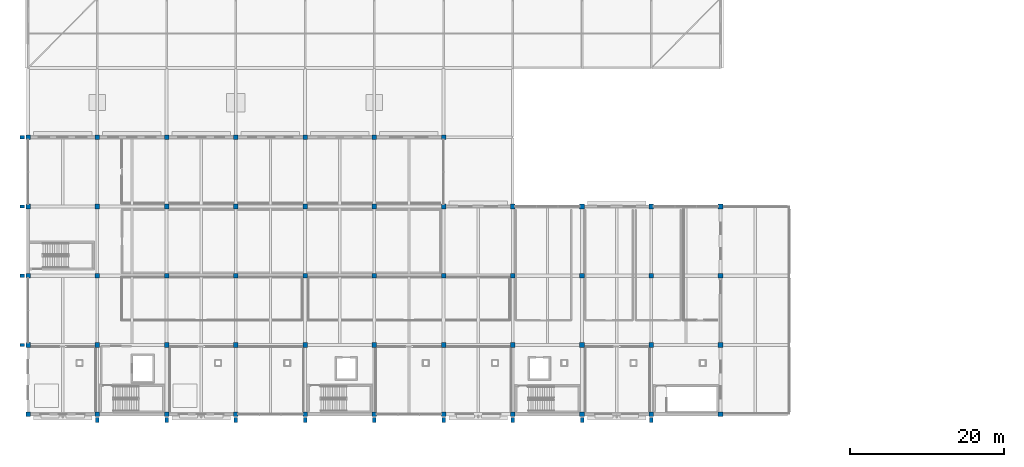
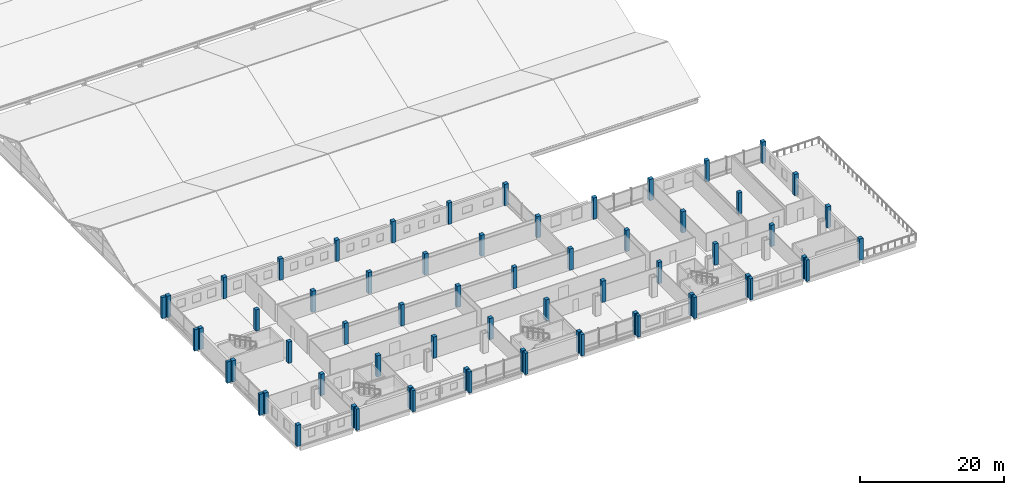
# One storey, part 1 of 163: 64 columns.
"""IFC4 building model written with IfcOpenShell, lengths in metres."""

from ifc_helpers import new_model, si_unit, direction, frame, origin, origin_2d, place, context, subcontext, project, spatial, rectangle, extrude, material, material_profile, profile_set, type_object, element, save


model = new_model("IFC4")

# Units and contexts
model_context = context("Model", 3, precision=1e-05, world=origin(), true_north=direction((0.0, 1.0)))
body_context = subcontext(model_context, "Body", "Model", "MODEL_VIEW")
ifc_project = project(units=[si_unit("LENGTHUNIT", "METRE"), si_unit("AREAUNIT", "SQUARE_METRE"), si_unit("VOLUMEUNIT", "CUBIC_METRE"), si_unit("PLANEANGLEUNIT", "RADIAN"), si_unit("MASSUNIT", "GRAM", prefix="KILO")], contexts=[model_context])

# Site, building, storey
site_placement = place(None, origin())
site = spatial("IfcSite", under=ifc_project, at=site_placement, CompositionType="ELEMENT")
building_placement = place(site_placement, origin())
building = spatial("IfcBuilding", under=site, at=building_placement, Name="Tharagai Park Tramway Depot", CompositionType="ELEMENT")
storey_placement = place(building_placement, frame((0.0, 0.0, 8.39990234375)))
storey = spatial("IfcBuildingStorey", under=building, at=storey_placement, Name="L02", CompositionType="ELEMENT", Elevation=8.39990234375)

# Columns
ifc_material = material(Name="Concrete M40", Category="concrete")
ifc_material_profile_1 = material_profile(ifc_material, rectangle(XDim=0.60009765625, YDim=0.60009765625, at=origin_2d()), Name="RC 600x600")
ifc_profile_set_1 = profile_set([ifc_material_profile_1], Name="Concrete M40")
column_type_1 = type_object("IfcColumnType", Name="CL-16", PredefinedType="COLUMN", material=ifc_profile_set_1)
for number, where, z_axis, x_axis, name in (
    (1, (0.0, 0.0, 0.0), (0.0, 0.0, 1.0), (1.0, 0.0, 0.0), "L02 Structural Column CL-16 (0,0)"),
    (2, (0.0, 9.0, 0.0), (0.0, 0.0, 1.0), (1.0, 0.0, 0.0), "L02 Structural Column CL-16 (0,9)"),
    (3, (0.0, 18.0, 0.0), (0.0, 0.0, 1.0), (1.0, 0.0, 0.0), "L02 Structural Column CL-16 (0,18)"),
    (4, (0.0, 27.0, 0.0), (0.0, 0.0, 1.0), (1.0, 0.0, 0.0), "L02 Structural Column CL-16 (0,27)"),
    (5, (0.0, 36.0, 0.0), (0.0, 0.0, 1.0), (1.0, 0.0, 0.0), "L02 Structural Column CL-16 (0,36)"),
    (6, (9.0, 0.0, 0.0), (0.0, 0.0, 1.0), (1.0, 0.0, 0.0), "L02 Structural Column CL-16 (9,0)"),
    (7, (9.0, 9.0, 0.0), (0.0, 0.0, 1.0), (1.0, 0.0, 0.0), "L02 Structural Column CL-16 (9,9)"),
    (8, (9.0, 18.0, 0.0), (0.0, 0.0, 1.0), (1.0, 0.0, 0.0), "L02 Structural Column CL-16 (9,18)"),
    (9, (9.0, 27.0, 0.0), (0.0, 0.0, 1.0), (1.0, 0.0, 0.0), "L02 Structural Column CL-16 (9,27)"),
    (10, (9.0, 36.0, 0.0), (0.0, 0.0, 1.0), (1.0, 0.0, 0.0), "L02 Structural Column CL-16 (9,36)"),
    (11, (18.0, 0.0, 0.0), (0.0, 0.0, 1.0), (1.0, 0.0, 0.0), "L02 Structural Column CL-16 (18,0)"),
    (12, (18.0, 9.0, 0.0), (0.0, 0.0, 1.0), (1.0, 0.0, 0.0), "L02 Structural Column CL-16 (18,9)"),
    (13, (18.0, 18.0, 0.0), (0.0, 0.0, 1.0), (1.0, 0.0, 0.0), "L02 Structural Column CL-16 (18,18)"),
    (14, (18.0, 27.0, 0.0), (0.0, 0.0, 1.0), (1.0, 0.0, 0.0), "L02 Structural Column CL-16 (18,27)"),
    (15, (18.0, 36.0, 0.0), (0.0, 0.0, 1.0), (1.0, 0.0, 0.0), "L02 Structural Column CL-16 (18,36)"),
    (16, (27.0, 0.0, 0.0), (0.0, 0.0, 1.0), (1.0, 0.0, 0.0), "L02 Structural Column CL-16 (27,0)"),
    (17, (27.0, 9.0, 0.0), (0.0, 0.0, 1.0), (1.0, 0.0, 0.0), "L02 Structural Column CL-16 (27,9)"),
    (18, (27.0, 18.0, 0.0), (0.0, 0.0, 1.0), (1.0, 0.0, 0.0), "L02 Structural Column CL-16 (27,18)"),
    (19, (27.0, 27.0, 0.0), (0.0, 0.0, 1.0), (1.0, 0.0, 0.0), "L02 Structural Column CL-16 (27,27)"),
    (20, (27.0, 36.0, 0.0), (0.0, 0.0, 1.0), (1.0, 0.0, 0.0), "L02 Structural Column CL-16 (27,36)"),
    (21, (36.0, 0.0, 0.0), (0.0, 0.0, 1.0), (1.0, 0.0, 0.0), "L02 Structural Column CL-16 (36,0)"),
    (22, (36.0, 9.0, 0.0), (0.0, 0.0, 1.0), (1.0, 0.0, 0.0), "L02 Structural Column CL-16 (36,9)"),
    (23, (36.0, 18.0, 0.0), (0.0, 0.0, 1.0), (1.0, 0.0, 0.0), "L02 Structural Column CL-16 (36,18)"),
    (24, (36.0, 27.0, 0.0), (0.0, 0.0, 1.0), (1.0, 0.0, 0.0), "L02 Structural Column CL-16 (36,27)"),
    (25, (36.0, 36.0, 0.0), (0.0, 0.0, 1.0), (1.0, 0.0, 0.0), "L02 Structural Column CL-16 (36,36)"),
    (26, (45.0, 0.0, 0.0), (0.0, 0.0, 1.0), (1.0, 0.0, 0.0), "L02 Structural Column CL-16 (45,0)"),
    (27, (45.0, 9.0, 0.0), (0.0, 0.0, 1.0), (1.0, 0.0, 0.0), "L02 Structural Column CL-16 (45,9)"),
    (28, (45.0, 18.0, 0.0), (0.0, 0.0, 1.0), (1.0, 0.0, 0.0), "L02 Structural Column CL-16 (45,18)"),
    (29, (45.0, 27.0, 0.0), (0.0, 0.0, 1.0), (1.0, 0.0, 0.0), "L02 Structural Column CL-16 (45,27)"),
    (30, (45.0, 36.0, 0.0), (0.0, 0.0, 1.0), (1.0, 0.0, 0.0), "L02 Structural Column CL-16 (45,36)"),
    (31, (54.0, 0.0, 0.0), (0.0, 0.0, 1.0), (1.0, 0.0, 0.0), "L02 Structural Column CL-16 (54,0)"),
    (32, (54.0, 9.0, 0.0), (0.0, 0.0, 1.0), (1.0, 0.0, 0.0), "L02 Structural Column CL-16 (54,9)"),
    (33, (54.0, 18.0, 0.0), (0.0, 0.0, 1.0), (1.0, 0.0, 0.0), "L02 Structural Column CL-16 (54,18)"),
    (34, (54.0, 27.0, 0.0), (0.0, 0.0, 1.0), (1.0, 0.0, 0.0), "L02 Structural Column CL-16 (54,27)"),
    (35, (54.0, 36.0, 0.0), (0.0, 0.0, 1.0), (1.0, 0.0, 0.0), "L02 Structural Column CL-16 (54,36)"),
    (36, (63.0, 0.0, 0.0), (0.0, 0.0, 1.0), (1.0, 0.0, 0.0), "L02 Structural Column CL-16 (63,0)"),
    (37, (63.0, 9.0, 0.0), (0.0, 0.0, 1.0), (1.0, 0.0, 0.0), "L02 Structural Column CL-16 (63,9)"),
    (38, (63.0, 18.0, 0.0), (0.0, 0.0, 1.0), (1.0, 0.0, 0.0), "L02 Structural Column CL-16 (63,18)"),
    (39, (63.0, 27.0, 0.0), (0.0, 0.0, 1.0), (1.0, 0.0, 0.0), "L02 Structural Column CL-16 (63,27)"),
    (40, (72.0, 0.0, 0.0), (0.0, 0.0, 1.0), (1.0, 0.0, 0.0), "L02 Structural Column CL-16 (72,0)"),
    (41, (72.0, 9.0, 0.0), (0.0, 0.0, 1.0), (1.0, 0.0, 0.0), "L02 Structural Column CL-16 (72,9)"),
    (42, (72.0, 18.0, 0.0), (0.0, 0.0, 1.0), (1.0, 0.0, 0.0), "L02 Structural Column CL-16 (72,18)"),
    (43, (72.0, 27.0, 0.0), (0.0, 0.0, 1.0), (1.0, 0.0, 0.0), "L02 Structural Column CL-16 (72,27)"),
    (44, (81.0, 0.0, 0.0), (0.0, 0.0, 1.0), (1.0, 0.0, 0.0), "L02 Structural Column CL-16 (81,0)"),
    (45, (81.0, 9.0, 0.0), (0.0, 0.0, 1.0), (1.0, 0.0, 0.0), "L02 Structural Column CL-16 (81,9)"),
    (46, (81.0, 18.0, 0.0), (0.0, 0.0, 1.0), (1.0, 0.0, 0.0), "L02 Structural Column CL-16 (81,18)"),
    (47, (81.0, 27.0, 0.0), (0.0, 0.0, 1.0), (1.0, 0.0, 0.0), "L02 Structural Column CL-16 (81,27)"),
    (48, (90.0, 0.0, 0.0), (0.0, 0.0, 1.0), (1.0, 0.0, 0.0), "L02 Structural Column CL-16 (90,0)"),
    (49, (90.0, 9.0, 0.0), (0.0, 0.0, 1.0), (1.0, 0.0, 0.0), "L02 Structural Column CL-16 (90,9)"),
    (50, (90.0, 18.0, 0.0), (0.0, 0.0, 1.0), (1.0, 0.0, 0.0), "L02 Structural Column CL-16 (90,18)"),
    (51, (90.0, 27.0, 0.0), (0.0, 0.0, 1.0), (1.0, 0.0, 0.0), "L02 Structural Column CL-16 (90,27)"),
):
    element("IfcColumn", number, at=place(storey_placement, frame(where, z_axis=z_axis, x_axis=x_axis)), inside=storey, type_object=column_type_1, Name=name, PredefinedType="COLUMN", context=body_context, shape_type="SweptSolid", body=[
        extrude(rectangle(XDim=0.60009765625, YDim=0.60009765625, at=origin_2d()), origin(), (0.0, 0.0, 1.0), 3.60009765625),
    ])
ifc_material_profile_2 = material_profile(ifc_material, rectangle(XDim=0.449951171875, YDim=0.60009765625, at=origin_2d()), Name="RC 450x600")
ifc_profile_set_2 = profile_set([ifc_material_profile_2], Name="Concrete M40")
column_type_2 = type_object("IfcColumnType", Name="PL-01", PredefinedType="PILASTER", material=ifc_profile_set_2)
for number, where, z_axis, x_axis, name in (
    (52, (9.0, -0.75, 0.0), (0.0, 0.0, 1.0), (1.0, 0.0, 0.0), "L02 Stepped Gothic Buttress PL-01 S4-009"),
    (53, (18.0, -0.75, 0.0), (0.0, 0.0, 1.0), (1.0, 0.0, 0.0), "L02 Stepped Gothic Buttress PL-01 S4-018"),
    (54, (27.0, -0.75, 0.0), (0.0, 0.0, 1.0), (1.0, 0.0, 0.0), "L02 Stepped Gothic Buttress PL-01 S4-027"),
    (55, (36.0, -0.75, 0.0), (0.0, 0.0, 1.0), (1.0, 0.0, 0.0), "L02 Stepped Gothic Buttress PL-01 S4-036"),
    (56, (45.0, -0.75, 0.0), (0.0, 0.0, 1.0), (1.0, 0.0, 0.0), "L02 Stepped Gothic Buttress PL-01 S4-045"),
    (57, (54.0, -0.75, 0.0), (0.0, 0.0, 1.0), (1.0, 0.0, 0.0), "L02 Stepped Gothic Buttress PL-01 S4-054"),
    (58, (63.0, -0.75, 0.0), (0.0, 0.0, 1.0), (1.0, 0.0, 0.0), "L02 Stepped Gothic Buttress PL-01 S4-063"),
    (59, (72.0, -0.75, 0.0), (0.0, 0.0, 1.0), (1.0, 0.0, 0.0), "L02 Stepped Gothic Buttress PL-01 S4-072"),
    (60, (81.0, -0.75, 0.0), (0.0, 0.0, 1.0), (1.0, 0.0, 0.0), "L02 Stepped Gothic Buttress PL-01 S4-081"),
    (61, (-0.75, 9.0, 0.0), (0.0, 0.0, 1.0), (0.0, 1.0, 0.0), "L02 Stepped Gothic Buttress PL-01 W-009"),
    (62, (-0.75, 18.0, 0.0), (0.0, 0.0, 1.0), (0.0, 1.0, 0.0), "L02 Stepped Gothic Buttress PL-01 W-018"),
    (63, (-0.75, 27.0, 0.0), (0.0, 0.0, 1.0), (0.0, 1.0, 0.0), "L02 Stepped Gothic Buttress PL-01 W-027"),
    (64, (-0.75, 36.0, 0.0), (0.0, 0.0, 1.0), (0.0, 1.0, 0.0), "L02 Stepped Gothic Buttress PL-01 W-036"),
):
    element("IfcColumn", number, at=place(storey_placement, frame(where, z_axis=z_axis, x_axis=x_axis)), inside=storey, type_object=column_type_2, Name=name, PredefinedType="PILASTER", context=body_context, shape_type="SweptSolid", body=[
        extrude(rectangle(XDim=0.449951171875, YDim=0.60009765625, at=origin_2d()), origin(), (0.0, 0.0, 1.0), 3.60009765625),
    ])

save(model, "model.ifc")
